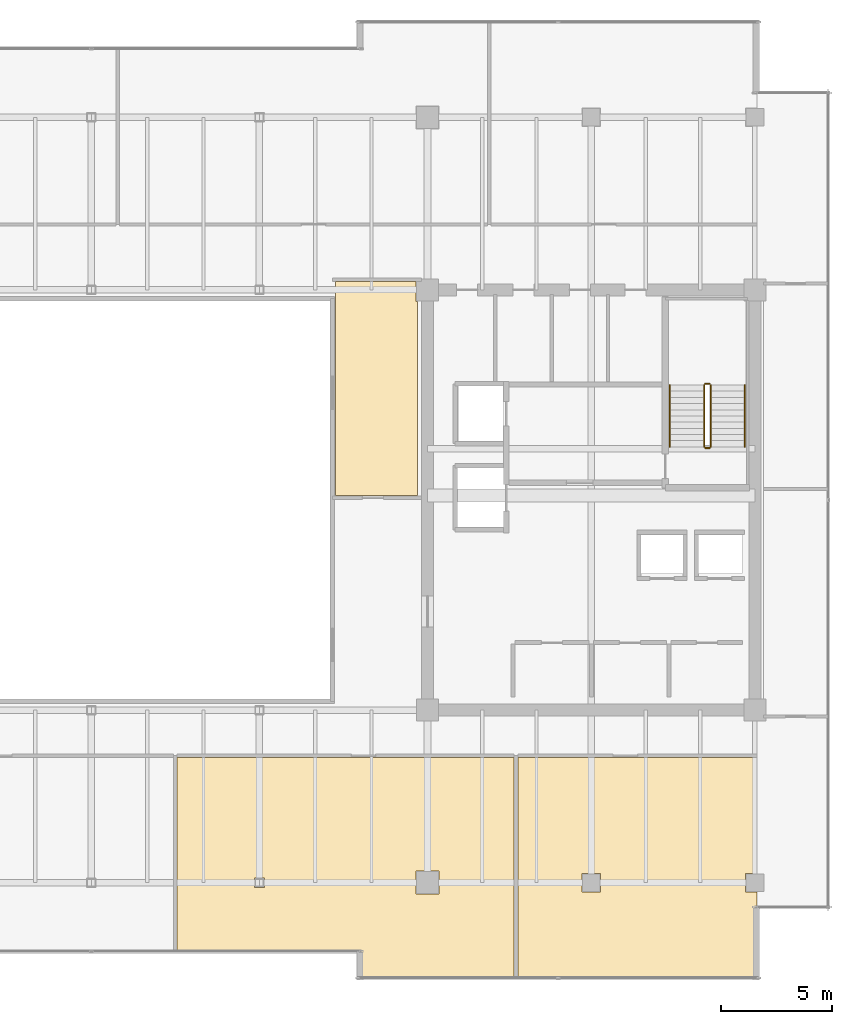
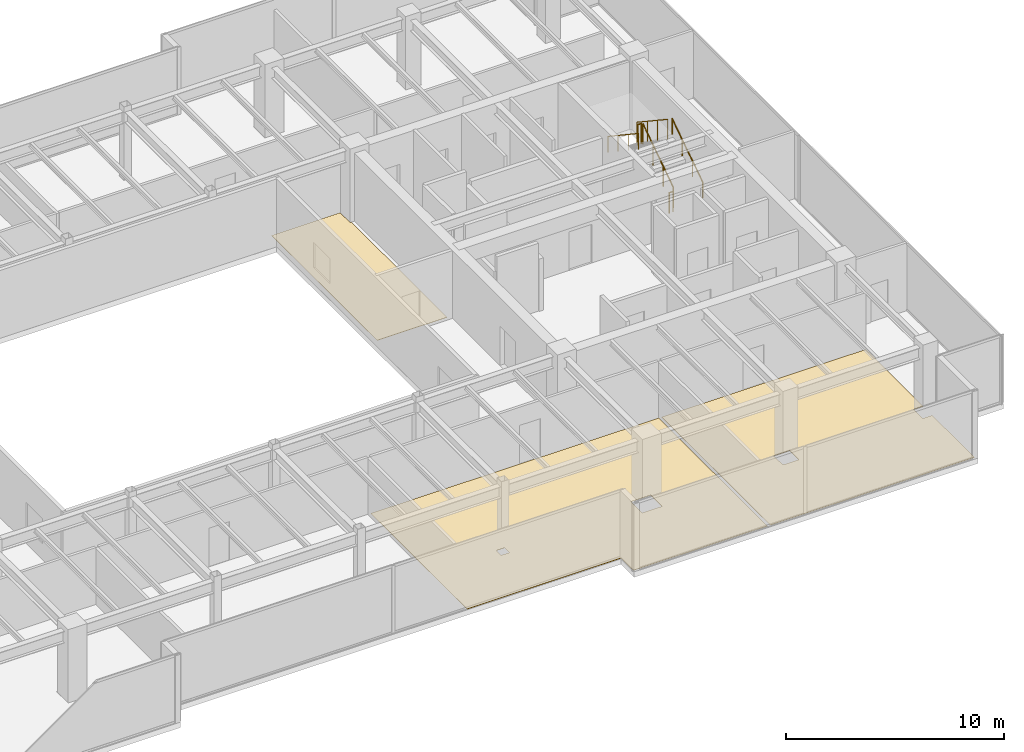
# One storey, part 34 of 35: 6 railings, 3 coverings.
"""IFC4 building model written with IfcOpenShell, lengths in metres."""

from ifc_helpers import new_model, si_unit, direction, frame, origin, origin_2d, place, context, subcontext, project, spatial, polyline, circle, outline, extrude, source, transform, mapped, material, layer, layer_set, type_object, type_shapes, element, save


model = new_model("IFC4")

# Units and contexts
model_context = context("Model", 3, precision=1e-05, world=origin(), true_north=direction((0.0, 1.0)))
body_context = subcontext(model_context, "Body", "Model", "MODEL_VIEW")
ifc_project = project(units=[si_unit("LENGTHUNIT", "METRE"), si_unit("AREAUNIT", "SQUARE_METRE"), si_unit("VOLUMEUNIT", "CUBIC_METRE"), si_unit("PLANEANGLEUNIT", "RADIAN"), si_unit("MASSUNIT", "GRAM", prefix="KILO")], contexts=[model_context])

# Site, building, storey
site_placement = place(None, origin())
site = spatial("IfcSite", under=ifc_project, at=site_placement, CompositionType="ELEMENT")
building_placement = place(site_placement, origin())
building = spatial("IfcBuilding", under=site, at=building_placement, Name="Haelvirn Gate Laboratories", CompositionType="ELEMENT")
storey_placement = place(building_placement, frame((0.0, 0.0, 226.0)))
storey = spatial("IfcBuildingStorey", under=building, at=storey_placement, Name="L54", CompositionType="ELEMENT", Elevation=226.0)

# Coverings
ifc_material_1 = material(Name="Seamless chemical-resistant epoxy laboratory flooring")
ifc_layer = layer(ifc_material_1, 0.01806640625, Name="COV-FLR-RESIN")
ifc_layer_set = layer_set([ifc_layer], Name="Seamless chemical-resistant epoxy laboratory flooring")
covering_type = type_object("IfcCoveringType", Name="COV-FLR-RESIN", PredefinedType="FLOORING", material=ifc_layer_set)
covering_1_placement = place(storey_placement, origin())
element("IfcCovering", 1, at=covering_1_placement, inside=storey, type_object=covering_type, Name="L54 Seamless Laboratory Flooring FLR-SP-L54-EATRIUM-POD", PredefinedType="FLOORING", context=body_context, shape_type="SweptSolid", body=[
    extrude(outline(polyline([(52.080078125, 34.179931640625), (52.080078125, 33.280029296875), (52.14990234375, 33.280029296875), (52.14990234375, 24.5), (48.449951171875, 24.5), (48.449951171875, 34.179931640625), (52.080078125, 34.179931640625)])), origin(), (0.0, 0.0, 1.0), 0.01806640625),
])
covering_2_placement = place(storey_placement, origin())
element("IfcCovering", 2, at=covering_2_placement, inside=storey, type_object=covering_type, Name="L54 Seamless Laboratory Flooring FLR-SP-L54-S-04", PredefinedType="FLOORING", context=body_context, shape_type="SweptSolid", body=[
    extrude(outline(polyline([(49.43994140625, 2.7099609375), (49.43994140625, 3.800048828125), (49.439697265625, 3.803955078125), (49.439208984375, 3.807861328125), (49.438232421875, 3.8115234375), (49.43701171875, 3.815185546875), (49.435302734375, 3.81884765625), (49.433349609375, 3.822265625), (49.430908203125, 3.825439453125), (49.42822265625, 3.828369140625), (49.42529296875, 3.830810546875), (49.422119140625, 3.833251953125), (49.4189453125, 3.835205078125), (49.415283203125, 3.8369140625), (49.41162109375, 3.83837890625), (49.40771484375, 3.839111328125), (49.40380859375, 3.83984375), (49.39990234375, 3.840087890625), (41.280029296875, 3.840087890625), (41.280029296875, 12.669921875), (56.52001953125, 12.669921875), (56.52001953125, 2.7099609375), (49.43994140625, 2.7099609375)]), holes=[polyline([(52.080078125, 6.47998046875), (53.1201171875, 6.47998046875), (53.1201171875, 7.52001953125), (52.080078125, 7.52001953125), (52.080078125, 6.47998046875)]), polyline([(44.780029296875, 7.219970703125), (44.780029296875, 6.780029296875), (45.219970703125, 6.780029296875), (45.219970703125, 7.219970703125), (44.780029296875, 7.219970703125)])]), origin(), (0.0, 0.0, 1.0), 0.01806640625),
])
covering_3_placement = place(storey_placement, origin())
element("IfcCovering", 3, at=covering_3_placement, inside=storey, type_object=covering_type, Name="L54 Seamless Laboratory Flooring FLR-SP-L54-S-05", PredefinedType="FLOORING", context=body_context, shape_type="SweptSolid", body=[
    extrude(outline(polyline([(67.489990234375, 7.419921875), (66.97998046875, 7.419921875), (66.97998046875, 6.580078125), (67.489990234375, 6.580078125), (67.489990234375, 2.7099609375), (56.679931640625, 2.7099609375), (56.679931640625, 12.669921875), (67.489990234375, 12.669921875), (67.489990234375, 7.419921875)]), holes=[polyline([(59.580078125, 6.580078125), (60.419921875, 6.580078125), (60.419921875, 7.419921875), (59.580078125, 7.419921875), (59.580078125, 6.580078125)])]), origin(), (0.0, 0.0, 1.0), 0.01806640625),
])

# Railings
ifc_material_2 = material(Name="Galvanised steel SM355 & stainless top rail", Category="steel")
railing_type_1 = type_object("IfcRailingType", Name="RL-GUARD-1150", PredefinedType="GUARDRAIL", material=ifc_material_2)
shared_shape_1 = source(origin(), body_context, "Body", "SweptSolid", [
    extrude(circle(Radius=0.02392578125, at=origin_2d()), frame((0.0, 0.0, 1.1259765625), z_axis=(0.0, -0.832452072856, 0.554097055034), x_axis=(1.0, 0.0, 0.0)), (0.0, 0.0, 1.0), 3.363525390625),
    extrude(circle(Radius=0.02099609375, at=origin_2d()), origin(), (0.0, 0.0, 1.0), 1.101806640625),
    extrude(circle(Radius=0.02099609375, at=origin_2d()), frame((0.0, -0.933349609375, 0.621337890625)), (0.0, 0.0, 1.0), 1.101806640625),
    extrude(circle(Radius=0.02099609375, at=origin_2d()), frame((0.0, -1.86669921875, 1.242431640625)), (0.0, 0.0, 1.0), 1.101806640625),
    extrude(circle(Radius=0.02099609375, at=origin_2d()), frame((0.0, -2.800048828125, 1.86376953125)), (0.0, 0.0, 1.0), 1.101806640625),
])
railing_1_placement = place(storey_placement, frame((65.10009765625, 29.5, 2.236328125)))
element("IfcRailing", 4, at=railing_1_placement, inside=storey, type_object=railing_type_1, Name="L54 ST2 stair guard 3", PredefinedType="GUARDRAIL", context=body_context, shape_type="MappedRepresentation", body=[
    mapped(shared_shape_1, transform((0.0, 0.0, 0.0), scale=1.0)),
])
ifc_material_3 = material(Name="Brushed stainless steel 316L", Category="steel")
railing_type_2 = type_object("IfcRailingType", Name="RL-HAND-920", PredefinedType="HANDRAIL", material=ifc_material_3)
shared_shape_2 = source(origin(), body_context, "Body", "SweptSolid", [
    extrude(circle(Radius=0.02392578125, at=origin_2d()), frame((0.0, 0.0, 0.8759765625), z_axis=(0.0, -0.832452072856, 0.554097055034), x_axis=(1.0, 0.0, 0.0)), (0.0, 0.0, 1.0), 3.363525390625),
    extrude(circle(Radius=0.02099609375, at=origin_2d()), origin(), (0.0, 0.0, 1.0), 0.851806640625),
    extrude(circle(Radius=0.02099609375, at=origin_2d()), frame((0.0, -0.933349609375, 0.621337890625)), (0.0, 0.0, 1.0), 0.851806640625),
    extrude(circle(Radius=0.02099609375, at=origin_2d()), frame((0.0, -1.86669921875, 1.242431640625)), (0.0, 0.0, 1.0), 0.851806640625),
    extrude(circle(Radius=0.02099609375, at=origin_2d()), frame((0.0, -2.800048828125, 1.86376953125)), (0.0, 0.0, 1.0), 0.851806640625),
])
railing_2_placement = place(storey_placement, frame((63.550048828125, 29.5, 2.236328125)))
element("IfcRailing", 5, at=railing_2_placement, inside=storey, type_object=railing_type_2, Name="L54 ST2 stair handrail 2", PredefinedType="HANDRAIL", context=body_context, shape_type="MappedRepresentation", body=[
    mapped(shared_shape_2, transform((0.0, 0.0, 0.0), scale=1.0)),
])
shared_shape_3 = source(origin(), body_context, "Body", "SweptSolid", [
    extrude(circle(Radius=0.02392578125, at=origin_2d()), frame((0.0, 0.0, 1.1259765625), z_axis=(0.0, 0.832452072856, 0.554097055034), x_axis=(-1.0, 0.0, 0.0)), (0.0, 0.0, 1.0), 3.363525390625),
    extrude(circle(Radius=0.02099609375, at=origin_2d()), origin(), (0.0, 0.0, 1.0), 1.101806640625),
    extrude(circle(Radius=0.02099609375, at=origin_2d()), frame((0.0, 0.933349609375, 0.621337890625)), (0.0, 0.0, 1.0), 1.101806640625),
    extrude(circle(Radius=0.02099609375, at=origin_2d()), frame((0.0, 1.86669921875, 1.242431640625)), (0.0, 0.0, 1.0), 1.101806640625),
    extrude(circle(Radius=0.02099609375, at=origin_2d()), frame((0.0, 2.800048828125, 1.86376953125)), (0.0, 0.0, 1.0), 1.101806640625),
])
railing_3_placement = place(storey_placement, frame((65.39990234375, 26.699951171875, 0.186279296875)))
element("IfcRailing", 6, at=railing_3_placement, inside=storey, type_object=railing_type_1, Name="L54 ST2 stair guard 1", PredefinedType="GUARDRAIL", context=body_context, shape_type="MappedRepresentation", body=[
    mapped(shared_shape_3, transform((0.0, 0.0, 0.0), scale=1.0)),
])
shared_shape_4 = source(origin(), body_context, "Body", "SweptSolid", [
    extrude(circle(Radius=0.02392578125, at=origin_2d()), frame((0.0, 0.0, 0.8759765625), z_axis=(0.0, 0.832452072856, 0.554097055034), x_axis=(-1.0, 0.0, 0.0)), (0.0, 0.0, 1.0), 3.363525390625),
    extrude(circle(Radius=0.02099609375, at=origin_2d()), origin(), (0.0, 0.0, 1.0), 0.851806640625),
    extrude(circle(Radius=0.02099609375, at=origin_2d()), frame((0.0, 0.933349609375, 0.621337890625)), (0.0, 0.0, 1.0), 0.851806640625),
    extrude(circle(Radius=0.02099609375, at=origin_2d()), frame((0.0, 1.86669921875, 1.242431640625)), (0.0, 0.0, 1.0), 0.851806640625),
    extrude(circle(Radius=0.02099609375, at=origin_2d()), frame((0.0, 2.800048828125, 1.86376953125)), (0.0, 0.0, 1.0), 0.851806640625),
])
type_shapes(railing_type_2, [shared_shape_2, shared_shape_4])
railing_4_placement = place(storey_placement, frame((66.949951171875, 26.699951171875, 0.186279296875)))
element("IfcRailing", 7, at=railing_4_placement, inside=storey, type_object=railing_type_2, Name="L54 ST2 stair handrail 1", PredefinedType="HANDRAIL", context=body_context, shape_type="MappedRepresentation", body=[
    mapped(shared_shape_4, transform((0.0, 0.0, 0.0), scale=1.0)),
])
shared_shape_5 = source(origin(), body_context, "Body", "SweptSolid", [
    extrude(circle(Radius=0.02392578125, at=origin_2d()), frame((0.0, 0.0, 1.1259765625), z_axis=(-1.0, 0.0, 0.0), x_axis=(0.0, -1.0, 0.0)), (0.0, 0.0, 1.0), 0.2001953125),
    extrude(circle(Radius=0.02099609375, at=origin_2d()), origin(), (0.0, 0.0, 1.0), 1.101806640625),
    extrude(circle(Radius=0.02099609375, at=origin_2d()), frame((-0.2001953125, 0.0, 0.0)), (0.0, 0.0, 1.0), 1.101806640625),
])
type_shapes(railing_type_1, [shared_shape_1, shared_shape_3, shared_shape_5])
for number, where, name in (
    (8, (65.35009765625, 29.550048828125, 2.050048828125), "L54 ST2 stair guard 2"),
    (9, (65.35009765625, 26.64990234375, 0.0), "L54 ST2 stair guard 4"),
):
    element("IfcRailing", number, at=place(storey_placement, frame(where)), inside=storey, type_object=railing_type_1, Name=name, PredefinedType="GUARDRAIL", context=body_context, shape_type="MappedRepresentation", body=[
        mapped(shared_shape_5, transform((0.0, 0.0, 0.0), scale=1.0)),
    ])

save(model, "model.ifc")
